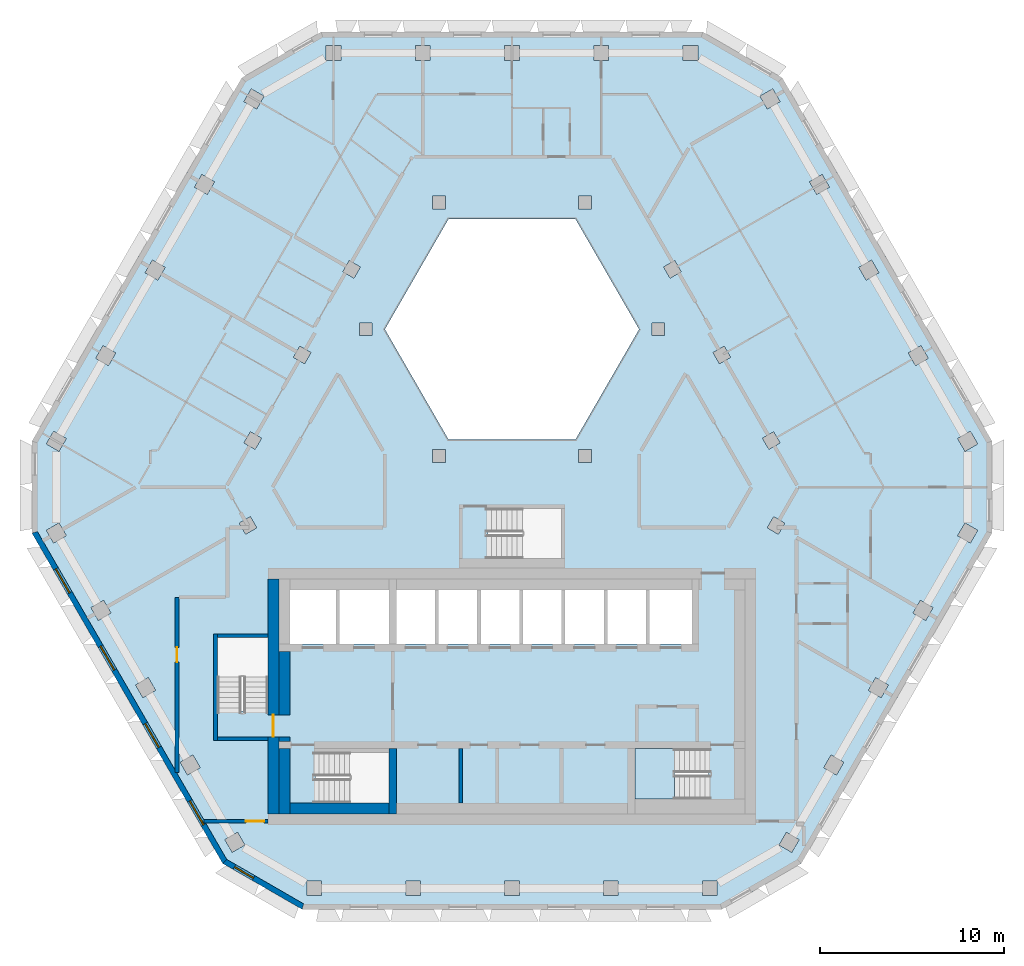
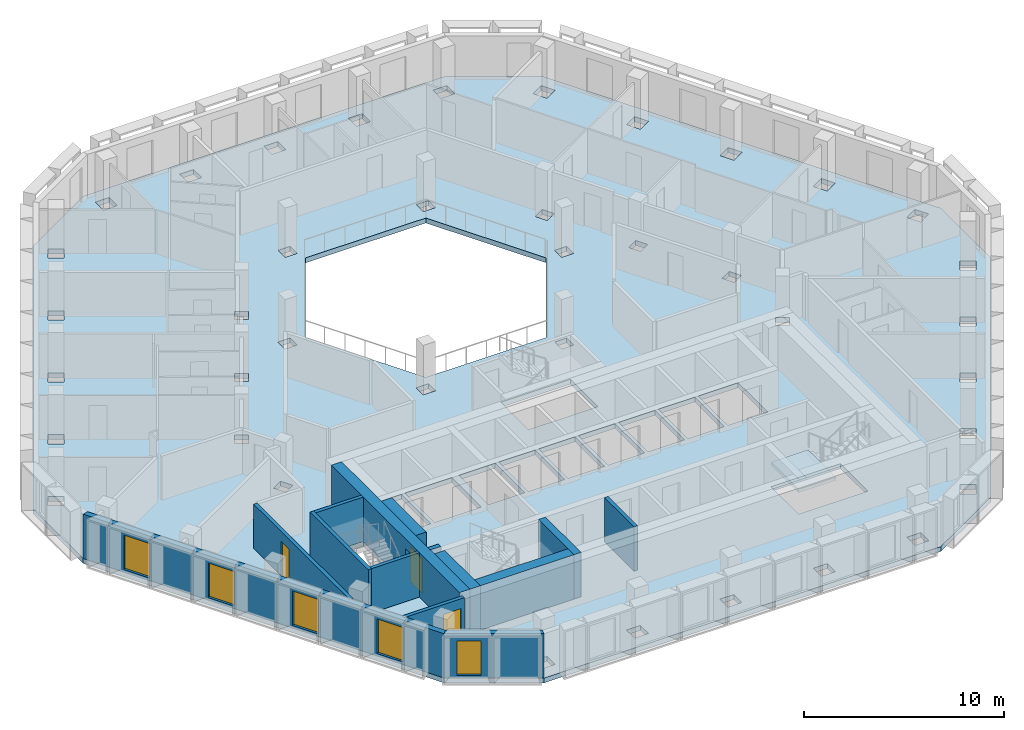
# One storey, part 2 of 15: 14 walls, 5 windows, 3 doors, 2 slabs, 8 openings, 1 element without a shape of its own.
"""IFC4 building model written with IfcOpenShell, lengths in metres."""

from ifc_helpers import new_model, si_unit, direction, frame, frame_2d, origin, place, context, subcontext, project, spatial, polyline, rectangle, outline, extrude, material, layer, layer_set, type_object, element, fill, aggregate, save


model = new_model("IFC4")

# Units and contexts
model_context = context("Model", 3, precision=1e-05, world=origin(), true_north=direction((0.0, 1.0)))
body_context = subcontext(model_context, "Body", "Model", "MODEL_VIEW")
ifc_project = project(units=[si_unit("LENGTHUNIT", "METRE"), si_unit("AREAUNIT", "SQUARE_METRE"), si_unit("VOLUMEUNIT", "CUBIC_METRE"), si_unit("PLANEANGLEUNIT", "RADIAN"), si_unit("MASSUNIT", "GRAM", prefix="KILO")], contexts=[model_context])

# Site, building, storey
site_placement = place(None, origin())
site = spatial("IfcSite", under=ifc_project, at=site_placement, CompositionType="ELEMENT")
building_placement = place(site_placement, origin())
building = spatial("IfcBuilding", under=site, at=building_placement, Name="Beryl Residences", CompositionType="ELEMENT")
storey_placement = place(building_placement, frame((0.0, 0.0, 163.199951171875)))
storey = spatial("IfcBuildingStorey", under=building, at=storey_placement, Name="L49", CompositionType="ELEMENT", Elevation=163.199951171875)

# Slab
ifc_material_1 = material(Name="Concrete C40/50", Category="concrete")
ifc_layer_1 = layer(ifc_material_1, 0.300048828125)
ifc_layer_set_1 = layer_set([ifc_layer_1], Name="SL7 PT floor slab 300 mm C40/50")
slab_type_1 = type_object("IfcSlabType", Name="SL7 PT floor slab 300 mm C40/50", PredefinedType="FLOOR", material=ifc_layer_set_1)
slab_1_placement = place(storey_placement, frame((0.0, 0.0, -0.300048828125)))
element("IfcSlab", 1, at=slab_1_placement, inside=storey, type_object=slab_type_1, Name="L49 slab 1", PredefinedType="FLOOR", context=body_context, shape_type="SweptSolid", body=[
    extrude(outline(polyline([(26.154052734375, -3.10009765625), (15.760986328125, -21.10009765625), (11.430908203125, -23.60009765625), (-11.430908203125, -23.60009765625), (-15.760986328125, -21.10009765625), (-26.154052734375, -3.10009765625), (-26.154052734375, 1.89990234375), (-14.721923828125, 21.699951171875), (-10.39208984375, 24.199951171875), (10.39208984375, 24.199951171875), (14.721923828125, 21.699951171875), (26.154052734375, 1.89990234375), (26.154052734375, -3.10009765625)]), holes=[polyline([(24.971923828125, 2.446044921875), (24.280029296875, 2.0458984375), (24.679931640625, 1.35400390625), (25.3720703125, 1.75390625), (24.971923828125, 2.446044921875)]), polyline([(24.678955078125, -2.554931640625), (24.279052734375, -3.2470703125), (24.970947265625, -3.64697265625), (25.37109375, -2.955078125), (24.678955078125, -2.554931640625)]), polyline([(22.2470703125, -6.76806640625), (21.846923828125, -7.4599609375), (22.5390625, -7.860107421875), (22.93896484375, -7.16796875), (22.2470703125, -6.76806640625)]), polyline([(22.280029296875, 7.10791015625), (21.587890625, 6.7080078125), (21.988037109375, 6.01611328125), (22.679931640625, 6.416015625), (22.280029296875, 7.10791015625)]), polyline([(19.4150390625, -11.672119140625), (20.10693359375, -12.072021484375), (20.507080078125, -11.3798828125), (19.81494140625, -10.97998046875), (19.4150390625, -11.672119140625)]), polyline([(18.89599609375, 11.37109375), (19.2958984375, 10.678955078125), (19.988037109375, 11.0791015625), (19.587890625, 11.77099609375), (18.89599609375, 11.37109375)]), polyline([(18.074951171875, -15.592041015625), (17.383056640625, -15.19189453125), (16.98291015625, -15.884033203125), (17.675048828125, -16.283935546875), (18.074951171875, -15.592041015625)]), polyline([(16.89599609375, 16.43408203125), (16.2041015625, 16.033935546875), (16.60400390625, 15.342041015625), (17.2958984375, 15.741943359375), (16.89599609375, 16.43408203125)]), polyline([(15.64306640625, -19.804931640625), (14.950927734375, -19.405029296875), (14.551025390625, -20.096923828125), (15.242919921875, -20.4970703125), (15.64306640625, -19.804931640625)]), polyline([(14.860107421875, -2.56103515625), (14.25390625, -2.2109375), (13.904052734375, -2.81689453125), (14.510009765625, -3.1669921875), (14.860107421875, -2.56103515625)]), polyline([(14.2041015625, 21.095947265625), (13.511962890625, 20.696044921875), (13.912109375, 20.00390625), (14.60400390625, 20.404052734375), (14.2041015625, 21.095947265625)]), polyline([(13.64501953125, 2.06494140625), (13.9951171875, 1.458984375), (14.60107421875, 1.80908203125), (14.2509765625, 2.4150390625), (13.64501953125, 2.06494140625)]), polyline([(11.55908203125, 7.077880859375), (10.952880859375, 6.72802734375), (11.302978515625, 6.1220703125), (11.908935546875, 6.471923828125), (11.55908203125, 7.077880859375)]), polyline([(11.1689453125, -22.050048828125), (10.368896484375, -22.050048828125), (10.368896484375, -22.85009765625), (11.1689453125, -22.85009765625), (11.1689453125, -22.050048828125)]), polyline([(6.699951171875, -14.85009765625), (6.699951171875, -17.60009765625), (10.699951171875, -17.60009765625), (10.699951171875, -14.85009765625), (6.699951171875, -14.85009765625)]), polyline([(9.327880859375, 23.449951171875), (9.327880859375, 22.64990234375), (10.1279296875, 22.64990234375), (10.1279296875, 23.449951171875), (9.327880859375, 23.449951171875)]), polyline([(7.5, -9.14990234375), (9.800048828125, -9.14990234375), (9.800048828125, -6.199951171875), (7.5, -6.199951171875), (7.5, -9.14990234375)]), polyline([(8.260986328125, 11.39111328125), (8.611083984375, 10.784912109375), (9.217041015625, 11.135009765625), (8.866943359375, 11.740966796875), (8.260986328125, 11.39111328125)]), polyline([(8.31689453125, 7.64990234375), (8.31689453125, 8.35009765625), (7.616943359375, 8.35009765625), (7.616943359375, 7.64990234375), (8.31689453125, 7.64990234375)]), polyline([(5.199951171875, -9.14990234375), (7.300048828125, -9.14990234375), (7.300048828125, -6.199951171875), (5.199951171875, -6.199951171875), (5.199951171875, -9.14990234375)]), polyline([(3.464111328125, 14.0), (-3.464111328125, 14.0), (-6.92822265625, 8.0), (-3.464111328125, 2.0), (3.464111328125, 2.0), (6.92822265625, 8.0), (3.464111328125, 14.0)]), polyline([(5.784912109375, -22.85009765625), (5.784912109375, -22.050048828125), (4.985107421875, -22.050048828125), (4.985107421875, -22.85009765625), (5.784912109375, -22.85009765625)]), polyline([(4.464111328125, 23.449951171875), (4.464111328125, 22.64990234375), (5.263916015625, 22.64990234375), (5.263916015625, 23.449951171875), (4.464111328125, 23.449951171875)]), polyline([(5.0, -9.14990234375), (5.0, -6.199951171875), (2.89990234375, -6.199951171875), (2.89990234375, -9.14990234375), (5.0, -9.14990234375)]), polyline([(4.333984375, 14.550048828125), (4.333984375, 15.25), (3.634033203125, 15.25), (3.634033203125, 14.550048828125), (4.333984375, 14.550048828125)]), polyline([(4.333984375, 1.449951171875), (3.634033203125, 1.449951171875), (3.634033203125, 0.75), (4.333984375, 0.75), (4.333984375, 1.449951171875)]), polyline([(2.699951171875, -4.5), (2.699951171875, -1.75), (-1.300048828125, -1.75), (-1.300048828125, -4.5), (2.699951171875, -4.5)]), polyline([(0.60009765625, -9.14990234375), (2.699951171875, -9.14990234375), (2.699951171875, -6.199951171875), (0.60009765625, -6.199951171875), (0.60009765625, -9.14990234375)]), polyline([(-0.39892578125, -22.050048828125), (-0.39892578125, -22.85009765625), (0.40087890625, -22.85009765625), (0.40087890625, -22.050048828125), (-0.39892578125, -22.050048828125)]), polyline([(0.39990234375, 22.64990234375), (0.39990234375, 23.449951171875), (-0.39990234375, 23.449951171875), (-0.39990234375, 22.64990234375), (0.39990234375, 22.64990234375)]), polyline([(0.39990234375, -6.199951171875), (-1.699951171875, -6.199951171875), (-1.699951171875, -9.14990234375), (0.39990234375, -9.14990234375), (0.39990234375, -6.199951171875)]), polyline([(-4.0, -9.14990234375), (-1.89990234375, -9.14990234375), (-1.89990234375, -6.199951171875), (-4.0, -6.199951171875), (-4.0, -9.14990234375)]), polyline([(-3.634033203125, 15.25), (-4.333984375, 15.25), (-4.333984375, 14.550048828125), (-3.634033203125, 14.550048828125), (-3.634033203125, 15.25)]), polyline([(-3.634033203125, 0.75), (-3.634033203125, 1.449951171875), (-4.333984375, 1.449951171875), (-4.333984375, 0.75), (-3.634033203125, 0.75)]), polyline([(-6.300048828125, -9.14990234375), (-4.199951171875, -9.14990234375), (-4.199951171875, -6.199951171875), (-6.300048828125, -6.199951171875), (-6.300048828125, -9.14990234375)]), polyline([(-5.263916015625, 23.449951171875), (-5.263916015625, 22.64990234375), (-4.464111328125, 22.64990234375), (-4.464111328125, 23.449951171875), (-5.263916015625, 23.449951171875)]), polyline([(-4.98291015625, -22.85009765625), (-4.98291015625, -22.050048828125), (-5.782958984375, -22.050048828125), (-5.782958984375, -22.85009765625), (-4.98291015625, -22.85009765625)]), polyline([(-6.699951171875, -6.199951171875), (-9.39990234375, -6.199951171875), (-9.39990234375, -9.14990234375), (-6.699951171875, -9.14990234375), (-6.699951171875, -6.199951171875)]), polyline([(-10.699951171875, -15.050048828125), (-10.699951171875, -17.800048828125), (-6.699951171875, -17.800048828125), (-6.699951171875, -15.050048828125), (-10.699951171875, -15.050048828125)]), polyline([(-7.616943359375, 7.64990234375), (-7.616943359375, 8.35009765625), (-8.31689453125, 8.35009765625), (-8.31689453125, 7.64990234375), (-7.616943359375, 7.64990234375)]), polyline([(-8.611083984375, 10.784912109375), (-8.260986328125, 11.39111328125), (-8.866943359375, 11.740966796875), (-9.217041015625, 11.135009765625), (-8.611083984375, 10.784912109375)]), polyline([(-10.1279296875, 23.449951171875), (-10.1279296875, 22.64990234375), (-9.327880859375, 22.64990234375), (-9.327880859375, 23.449951171875), (-10.1279296875, 23.449951171875)]), polyline([(-12.10009765625, -9.14990234375), (-9.60009765625, -9.14990234375), (-9.60009765625, -6.199951171875), (-12.10009765625, -6.199951171875), (-12.10009765625, -9.14990234375)]), polyline([(-11.1669921875, -22.050048828125), (-11.1669921875, -22.85009765625), (-10.366943359375, -22.85009765625), (-10.366943359375, -22.050048828125), (-11.1669921875, -22.050048828125)]), polyline([(-11.908935546875, 6.471923828125), (-11.302978515625, 6.1220703125), (-10.952880859375, 6.72802734375), (-11.55908203125, 7.077880859375), (-11.908935546875, 6.471923828125)]), polyline([(-13.300048828125, -8.800048828125), (-16.050048828125, -8.800048828125), (-16.050048828125, -12.800048828125), (-13.300048828125, -12.800048828125), (-13.300048828125, -8.800048828125)]), polyline([(-13.912109375, 20.00390625), (-13.511962890625, 20.696044921875), (-14.2041015625, 21.095947265625), (-14.60400390625, 20.404052734375), (-13.912109375, 20.00390625)]), polyline([(-13.9951171875, 1.458984375), (-13.64501953125, 2.06494140625), (-14.2509765625, 2.4150390625), (-14.60107421875, 1.80908203125), (-13.9951171875, 1.458984375)]), polyline([(-14.510986328125, -3.1650390625), (-13.905029296875, -2.81494140625), (-14.2548828125, -2.208984375), (-14.861083984375, -2.55908203125), (-14.510986328125, -3.1650390625)]), polyline([(-14.552001953125, -20.094970703125), (-14.951904296875, -19.403076171875), (-15.64404296875, -19.802978515625), (-15.243896484375, -20.4951171875), (-14.552001953125, -20.094970703125)]), polyline([(-16.60400390625, 15.342041015625), (-16.2041015625, 16.033935546875), (-16.89599609375, 16.43408203125), (-17.2958984375, 15.741943359375), (-16.60400390625, 15.342041015625)]), polyline([(-16.98388671875, -15.882080078125), (-17.384033203125, -15.18994140625), (-18.075927734375, -15.590087890625), (-17.676025390625, -16.281982421875), (-16.98388671875, -15.882080078125)]), polyline([(-18.89599609375, 11.37109375), (-19.587890625, 11.77099609375), (-19.988037109375, 11.0791015625), (-19.2958984375, 10.678955078125), (-18.89599609375, 11.37109375)]), polyline([(-20.10791015625, -12.070068359375), (-19.416015625, -11.669921875), (-19.81591796875, -10.97802734375), (-20.508056640625, -11.3779296875), (-20.10791015625, -12.070068359375)]), polyline([(-22.679931640625, 6.416015625), (-21.988037109375, 6.01611328125), (-21.587890625, 6.7080078125), (-22.280029296875, 7.10791015625), (-22.679931640625, 6.416015625)]), polyline([(-21.847900390625, -7.4580078125), (-22.248046875, -6.76611328125), (-22.93994140625, -7.166015625), (-22.5400390625, -7.85791015625), (-21.847900390625, -7.4580078125)]), polyline([(-25.3720703125, 1.75390625), (-24.679931640625, 1.35400390625), (-24.280029296875, 2.0458984375), (-24.971923828125, 2.446044921875), (-25.3720703125, 1.75390625)]), polyline([(-24.280029296875, -3.2451171875), (-24.679931640625, -2.552978515625), (-25.3720703125, -2.952880859375), (-24.971923828125, -3.64501953125), (-24.280029296875, -3.2451171875)])]), origin(), (0.0, 0.0, 1.0), 0.300048828125),
])

# Stair, slab
ifc_material_2 = material(Name="Concrete C40/50", Category="concrete")
stair_type = type_object("IfcStairType", Name="ST1 protected exit stair, half-turn, 1300 mm flights", PredefinedType="HALF_TURN_STAIR", material=ifc_material_2)
stair_placement = place(storey_placement, origin())
stair = element("IfcStair", 2, at=stair_placement, inside=storey, type_object=stair_type, Name="L49 PROTECTED EXIT STAIR ST-3", PredefinedType="HALF_TURN_STAIR")
ifc_material_3 = material(Name="Concrete C40/50", Category="concrete")
ifc_layer_2 = layer(ifc_material_3, 0.199951171875)
ifc_layer_set_2 = layer_set([ifc_layer_2], Name="SLD1 stair landing 200 mm")
slab_type_2 = type_object("IfcSlabType", Name="SLD1 stair landing 200 mm", PredefinedType="LANDING", material=ifc_layer_set_2)
slab_2_placement = place(storey_placement, frame((0.0, 0.0, 1.300048828125)))
slab_2 = element("IfcSlab", 3, at=slab_2_placement, type_object=slab_type_2, Name="ST-3 landing 1", PredefinedType="LANDING", context=body_context, shape_type="SweptSolid", body=[
    extrude(outline(polyline([(8.840087890625, -14.85009765625), (6.699951171875, -14.85009765625), (6.699951171875, -17.60009765625), (8.840087890625, -17.60009765625), (8.840087890625, -14.85009765625)])), origin(), (0.0, 0.0, 1.0), 0.199951171875),
])
aggregate(stair, [slab_2])

# Wall, openings, windows
ifc_material_4 = material(Name="Composite metal panel with mineral wool insulation")
ifc_layer_3 = layer(ifc_material_4, 0.300048828125)
ifc_layer_set_3 = layer_set([ifc_layer_3], Name="ES1 pale metal composite panel wall 300 mm")
wall_type_1 = type_object("IfcWallType", Name="ES1 pale metal composite panel wall 300 mm", PredefinedType="SOLIDWALL", material=ifc_layer_set_3)
wall_1_placement = place(storey_placement, frame((-26.02392578125, -3.02490234375, 0.0), z_axis=(0.0, 0.0, 1.0), x_axis=(0.500018670445, -0.86601462413, 0.0)))
wall_1 = element("IfcWall", 4, at=wall_1_placement, inside=storey, type_object=wall_type_1, Name="ES1 external wall L49 SW", PredefinedType="SOLIDWALL", context=body_context, shape_type="SweptSolid", body=[
    extrude(outline(polyline([(0.0, -0.14990234375), (20.784912109375, -0.14990234375), (20.70458984375, 0.14990234375), (0.080322265625, 0.14990234375), (0.0, -0.14990234375)])), origin(), (0.0, 0.0, 1.0), 2.699951171875),
])
opening_1_placement = place(wall_1_placement, frame((2.345947265625, 0.0, 0.14990234375)))
opening_1 = element("IfcOpeningElement", 5, at=opening_1_placement, cuts=wall_1, Name="Opening W1", PredefinedType="OPENING", context=body_context, shape_type="SweptSolid", body=[
    extrude(rectangle(XDim=1.5, YDim=2.10009765625, at=frame_2d((0.75, 1.050048828125))), frame((0.0, 0.159912109375, 0.0), z_axis=(0.0, -1.0, 0.0), x_axis=(1.0, 0.0, 0.0)), (0.0, 0.0, 1.0), 0.320068359375),
])
opening_2_placement = place(wall_1_placement, frame((7.2099609375, 0.0, 0.14990234375)))
opening_2 = element("IfcOpeningElement", 6, at=opening_2_placement, cuts=wall_1, Name="Opening W1", PredefinedType="OPENING", context=body_context, shape_type="SweptSolid", body=[
    extrude(rectangle(XDim=1.5, YDim=2.10009765625, at=frame_2d((0.75, 1.050048828125))), frame((0.0, 0.159912109375, 0.0), z_axis=(0.0, -1.0, 0.0), x_axis=(1.0, 0.0, 0.0)), (0.0, 0.0, 1.0), 0.320068359375),
])
opening_3_placement = place(wall_1_placement, frame((12.072998046875, 0.0, 0.14990234375)))
opening_3 = element("IfcOpeningElement", 7, at=opening_3_placement, cuts=wall_1, Name="Opening W1", PredefinedType="OPENING", context=body_context, shape_type="SweptSolid", body=[
    extrude(rectangle(XDim=1.5, YDim=2.10009765625, at=frame_2d((0.75, 1.050048828125))), frame((0.0, 0.159912109375, 0.0), z_axis=(0.0, -1.0, 0.0), x_axis=(1.0, 0.0, 0.0)), (0.0, 0.0, 1.0), 0.320068359375),
])
opening_4_placement = place(wall_1_placement, frame((16.93798828125, 0.0, 0.14990234375)))
opening_4 = element("IfcOpeningElement", 8, at=opening_4_placement, cuts=wall_1, Name="Opening W1", PredefinedType="OPENING", context=body_context, shape_type="SweptSolid", body=[
    extrude(rectangle(XDim=1.5, YDim=2.10009765625, at=frame_2d((0.75, 1.050048828125))), frame((0.0, 0.159912109375, 0.0), z_axis=(0.0, -1.0, 0.0), x_axis=(1.0, 0.0, 0.0)), (0.0, 0.0, 1.0), 0.320068359375),
])
ifc_material_5 = material(Name="Aluminium and clear glass", Category="aluminium")
window_type_1 = type_object("IfcWindowType", Name="W1 cell window 1500 x 2100 mm", PartitioningType="SINGLE_PANEL", PredefinedType="WINDOW", material=ifc_material_5)
window_1_placement = place(opening_1_placement, origin())
window_1 = element("IfcWindow", 9, at=window_1_placement, inside=storey, type_object=window_type_1, Name="W1 window L49 SW 2", OverallHeight=2.10009765625, OverallWidth=1.5, PartitioningType="SINGLE_PANEL", PredefinedType="WINDOW", context=body_context, shape_type="SweptSolid", body=[
    extrude(rectangle(XDim=1.5, YDim=2.10009765625, at=frame_2d((0.75, 1.050048828125))), frame((0.0, 0.030029296875, 0.0), z_axis=(0.0, -1.0, 0.0), x_axis=(1.0, 0.0, 0.0)), (0.0, 0.0, 1.0), 0.06005859375),
])
fill(opening_1, window_1)
window_2_placement = place(opening_2_placement, origin())
window_2 = element("IfcWindow", 10, at=window_2_placement, inside=storey, type_object=window_type_1, Name="W1 window L49 SW 4", OverallHeight=2.10009765625, OverallWidth=1.5, PartitioningType="SINGLE_PANEL", PredefinedType="WINDOW", context=body_context, shape_type="SweptSolid", body=[
    extrude(rectangle(XDim=1.5, YDim=2.10009765625, at=frame_2d((0.75, 1.050048828125))), frame((0.0, 0.030029296875, 0.0), z_axis=(0.0, -1.0, 0.0), x_axis=(1.0, 0.0, 0.0)), (0.0, 0.0, 1.0), 0.06005859375),
])
fill(opening_2, window_2)
window_3_placement = place(opening_3_placement, origin())
window_3 = element("IfcWindow", 11, at=window_3_placement, inside=storey, type_object=window_type_1, Name="W1 window L49 SW 6", OverallHeight=2.10009765625, OverallWidth=1.5, PartitioningType="SINGLE_PANEL", PredefinedType="WINDOW", context=body_context, shape_type="SweptSolid", body=[
    extrude(rectangle(XDim=1.5, YDim=2.10009765625, at=frame_2d((0.75, 1.050048828125))), frame((0.0, 0.030029296875, 0.0), z_axis=(0.0, -1.0, 0.0), x_axis=(1.0, 0.0, 0.0)), (0.0, 0.0, 1.0), 0.06005859375),
])
fill(opening_3, window_3)
window_4_placement = place(opening_4_placement, origin())
window_4 = element("IfcWindow", 12, at=window_4_placement, inside=storey, type_object=window_type_1, Name="W1 window L49 SW 8", OverallHeight=2.10009765625, OverallWidth=1.5, PartitioningType="SINGLE_PANEL", PredefinedType="WINDOW", context=body_context, shape_type="SweptSolid", body=[
    extrude(rectangle(XDim=1.5, YDim=2.10009765625, at=frame_2d((0.75, 1.050048828125))), frame((0.0, 0.030029296875, 0.0), z_axis=(0.0, -1.0, 0.0), x_axis=(1.0, 0.0, 0.0)), (0.0, 0.0, 1.0), 0.06005859375),
])
fill(opening_4, window_4)

# Wall, opening, window
wall_2_placement = place(storey_placement, frame((-15.68603515625, -20.969970703125, 0.0), z_axis=(0.0, 0.0, 1.0), x_axis=(0.866022959057, -0.500004234368, 0.0)))
wall_2 = element("IfcWall", 13, at=wall_2_placement, inside=storey, type_object=wall_type_1, Name="ES1 external wall L49 SW-S", PredefinedType="SOLIDWALL", context=body_context, shape_type="SweptSolid", body=[
    extrude(outline(polyline([(0.0, -0.14990234375), (5.0, -0.14990234375), (4.919677734375, 0.14990234375), (0.080322265625, 0.14990234375), (0.0, -0.14990234375)])), origin(), (0.0, 0.0, 1.0), 2.699951171875),
])
opening_5_placement = place(wall_2_placement, frame((0.64990234375, 0.0, 0.14990234375)))
opening_5 = element("IfcOpeningElement", 14, at=opening_5_placement, cuts=wall_2, Name="Opening W2", PredefinedType="OPENING", context=body_context, shape_type="SweptSolid", body=[
    extrude(rectangle(XDim=1.199951171875, YDim=2.10009765625, at=frame_2d((0.60009765625, 1.050048828125))), frame((0.0, 0.159912109375, 0.0), z_axis=(0.0, -1.0, 0.0), x_axis=(1.0, 0.0, 0.0)), (0.0, 0.0, 1.0), 0.320068359375),
])
ifc_material_6 = material(Name="Aluminium and clear glass", Category="aluminium")
window_type_2 = type_object("IfcWindowType", Name="W2 chamfer window 1200 x 2100 mm", PartitioningType="SINGLE_PANEL", PredefinedType="WINDOW", material=ifc_material_6)
window_5_placement = place(opening_5_placement, origin())
window_5 = element("IfcWindow", 15, at=window_5_placement, inside=storey, type_object=window_type_2, Name="W2 window L49 SW-S 1", OverallHeight=2.10009765625, OverallWidth=1.199951171875, PartitioningType="SINGLE_PANEL", PredefinedType="WINDOW", context=body_context, shape_type="SweptSolid", body=[
    extrude(rectangle(XDim=1.199951171875, YDim=2.10009765625, at=frame_2d((0.60009765625, 1.050048828125))), frame((0.0, 0.030029296875, 0.0), z_axis=(0.0, -1.0, 0.0), x_axis=(1.0, 0.0, 0.0)), (0.0, 0.0, 1.0), 0.06005859375),
])
fill(opening_5, window_5)

# Walls
ifc_material_7 = material(Name="Concrete masonry", Category="masonry")
ifc_layer_4 = layer(ifc_material_7, 0.25)
ifc_layer_set_4 = layer_set([ifc_layer_4], Name="PT13-250 lobby wall 250 mm")
wall_type_2 = type_object("IfcWallType", Name="PT13-250 lobby wall 250 mm", PredefinedType="PARTITIONING", material=ifc_layer_set_4)
wall_3_placement = place(storey_placement, frame((-12.699951171875, -14.324951171875, 0.0), z_axis=(0.0, 0.0, 1.0), x_axis=(1.0, 0.0, 0.0)))
element("IfcWall", 16, at=wall_3_placement, inside=storey, type_object=wall_type_2, Name="Lobby wall 05", PredefinedType="PARTITIONING", context=body_context, shape_type="SweptSolid", body=[
    extrude(rectangle(XDim=0.599853515625, YDim=0.25, at=frame_2d((0.2998046875, 0.0))), origin(), (0.0, 0.0, 1.0), 2.699951171875),
])
ifc_material_8 = material(Name="Concrete masonry", Category="masonry")
ifc_layer_5 = layer(ifc_material_8, 0.60009765625)
ifc_layer_set_5 = layer_set([ifc_layer_5], Name="PT13-600 lobby wall 600 mm")
wall_type_3 = type_object("IfcWallType", Name="PT13-600 lobby wall 600 mm", PredefinedType="PARTITIONING", material=ifc_layer_set_5)
wall_4_placement = place(storey_placement, frame((-12.39990234375, -13.0, 0.0), z_axis=(0.0, 0.0, 1.0), x_axis=(0.0, 1.0, 0.0)))
element("IfcWall", 17, at=wall_4_placement, inside=storey, type_object=wall_type_3, Name="Lobby wall 06", PredefinedType="PARTITIONING", context=body_context, shape_type="SweptSolid", body=[
    extrude(rectangle(XDim=3.449951171875, YDim=0.60009765625, at=frame_2d((1.72509765625, 0.0))), origin(), (0.0, 0.0, 1.0), 2.699951171875),
])

# Wall, opening, door
ifc_material_9 = material(Name="Double stud gypsum board wall")
ifc_layer_6 = layer(ifc_material_9, 0.199951171875)
ifc_layer_set_6 = layer_set([ifc_layer_6], Name="PT4 corridor wall 200 mm double stud")
wall_type_4 = type_object("IfcWallType", Name="PT4 corridor wall 200 mm double stud", PredefinedType="PARTITIONING", material=ifc_layer_set_6)
wall_5_placement = place(storey_placement, frame((-18.25, -16.152099609375, 0.0), z_axis=(0.0, 0.0, 1.0), x_axis=(0.0, 1.0, 0.0)))
wall_5 = element("IfcWall", 18, at=wall_5_placement, inside=storey, type_object=wall_type_4, Name="Wall PT4 L49 025", PredefinedType="PARTITIONING", context=body_context, shape_type="SweptSolid", body=[
    extrude(rectangle(XDim=9.551025390625, YDim=0.199951171875, at=frame_2d((4.775390625, 0.0))), origin(), (0.0, 0.0, 1.0), 2.699951171875),
])
opening_6_placement = place(wall_5_placement, frame((6.02587890625, 0.0, 0.0)))
opening_6 = element("IfcOpeningElement", 19, at=opening_6_placement, cuts=wall_5, Name="Opening D1609", PredefinedType="OPENING", context=body_context, shape_type="SweptSolid", body=[
    extrude(rectangle(XDim=0.800048828125, YDim=2.10009765625, at=frame_2d((0.39990234375, 1.050048828125))), frame((0.0, 0.10986328125, 0.0), z_axis=(0.0, -1.0, 0.0), x_axis=(1.0, 0.0, 0.0)), (0.0, 0.0, 1.0), 0.219970703125),
])
ifc_material_10 = material(Name="Timber door leaf", Category="wood")
door_type_1 = type_object("IfcDoorType", Name="D3 bathroom door 800 x 2100 mm", OperationType="SINGLE_SWING_LEFT", PredefinedType="DOOR", material=ifc_material_10)
door_1_placement = place(opening_6_placement, origin())
door_1 = element("IfcDoor", 20, at=door_1_placement, inside=storey, type_object=door_type_1, Name="Door D1609 L49 001", OperationType="SINGLE_SWING_LEFT", OverallHeight=2.10009765625, OverallWidth=0.800048828125, PredefinedType="DOOR", context=body_context, shape_type="SweptSolid", body=[
    extrude(rectangle(XDim=0.800048828125, YDim=2.10009765625, at=frame_2d((0.39990234375, 1.050048828125))), frame((0.0, 0.02490234375, 0.0), z_axis=(0.0, -1.0, 0.0), x_axis=(1.0, 0.0, 0.0)), (0.0, 0.0, 1.0), 0.050048828125),
])
fill(opening_6, door_1)

wall_6_placement = place(storey_placement, frame((-16.7919921875, -18.800048828125, 0.0), z_axis=(0.0, 0.0, 1.0), x_axis=(1.0, 0.0, 0.0)))
wall_6 = element("IfcWall", 21, at=wall_6_placement, inside=storey, type_object=wall_type_4, Name="Wall PT4 L49 026", PredefinedType="PARTITIONING", context=body_context, shape_type="SweptSolid", body=[
    extrude(rectangle(XDim=3.491943359375, YDim=0.199951171875, at=frame_2d((1.74609375, 0.0))), origin(), (0.0, 0.0, 1.0), 2.699951171875),
])
opening_7_placement = place(wall_6_placement, frame((2.2919921875, 0.0, 0.0)))
opening_7 = element("IfcOpeningElement", 22, at=opening_7_placement, cuts=wall_6, Name="Opening D1645", PredefinedType="OPENING", context=body_context, shape_type="SweptSolid", body=[
    extrude(rectangle(XDim=1.0, YDim=2.10009765625, at=frame_2d((0.5, 1.050048828125))), frame((0.0, 0.10986328125, 0.0), z_axis=(0.0, -1.0, 0.0), x_axis=(1.0, 0.0, 0.0)), (0.0, 0.0, 1.0), 0.219970703125),
])
ifc_material_11 = material(Name="Timber door leaf", Category="wood")
door_type_2 = type_object("IfcDoorType", Name="D1 flat entrance door 1000 x 2100 mm", OperationType="SINGLE_SWING_LEFT", PredefinedType="DOOR", material=ifc_material_11)
door_2_placement = place(opening_7_placement, origin())
door_2 = element("IfcDoor", 23, at=door_2_placement, inside=storey, type_object=door_type_2, Name="Door D1645 L49 001", OperationType="SINGLE_SWING_RIGHT", OverallHeight=2.10009765625, OverallWidth=1.0, PredefinedType="DOOR", context=body_context, shape_type="SweptSolid", body=[
    extrude(rectangle(XDim=1.0, YDim=2.10009765625, at=frame_2d((0.5, 1.050048828125))), frame((0.0, 0.02490234375, 0.0), z_axis=(0.0, -1.0, 0.0), x_axis=(1.0, 0.0, 0.0)), (0.0, 0.0, 1.0), 0.050048828125),
])
fill(opening_7, door_2)

# Walls
ifc_material_12 = material(Name="Concrete C40/50", Category="concrete")
ifc_layer_7 = layer(ifc_material_12, 0.199951171875)
ifc_layer_set_7 = layer_set([ifc_layer_7], Name="PT5 stair enclosure wall 200 mm reinforced concrete C40/50")
wall_type_5 = type_object("IfcWallType", Name="PT5 stair enclosure wall 200 mm reinforced concrete C40/50", PredefinedType="SOLIDWALL", material=ifc_layer_set_7)
wall_7_placement = place(storey_placement, frame((-16.14990234375, -14.39990234375, 0.0), z_axis=(0.0, 0.0, 1.0), x_axis=(0.0, 1.0, 0.0)))
element("IfcWall", 24, at=wall_7_placement, inside=storey, type_object=wall_type_5, Name="Stair wall 01", PredefinedType="SOLIDWALL", context=body_context, shape_type="SweptSolid", body=[
    extrude(rectangle(XDim=5.7998046875, YDim=0.199951171875, at=frame_2d((2.89990234375, 0.0))), origin(), (0.0, 0.0, 1.0), 2.699951171875),
])
for number, where, z_axis, x_axis, name in (
    (25, (-16.050048828125, -14.300048828125, 0.0), (0.0, 0.0, 1.0), (1.0, 0.0, 0.0), "Stair wall 02"),
    (26, (-16.050048828125, -8.699951171875, 0.0), (0.0, 0.0, 1.0), (1.0, 0.0, 0.0), "Stair wall 03"),
):
    element("IfcWall", number, at=place(storey_placement, frame(where, z_axis=z_axis, x_axis=x_axis)), inside=storey, type_object=wall_type_5, Name=name, PredefinedType="SOLIDWALL", context=body_context, shape_type="SweptSolid", body=[
        extrude(rectangle(XDim=2.75, YDim=0.199951171875, at=frame_2d((1.375, 0.0))), origin(), (0.0, 0.0, 1.0), 2.699951171875),
    ])
ifc_material_13 = material(Name="Concrete C40/50", Category="concrete")
ifc_layer_8 = layer(ifc_material_13, 0.60009765625)
ifc_layer_set_8 = layer_set([ifc_layer_8], Name="PT5-600 stair enclosure wall 600 mm")
wall_type_6 = type_object("IfcWallType", Name="PT5-600 stair enclosure wall 600 mm", PredefinedType="SOLIDWALL", material=ifc_layer_set_8)
wall_8_placement = place(storey_placement, frame((-12.39990234375, -18.39990234375, 0.0), z_axis=(0.0, 0.0, 1.0), x_axis=(0.0, 1.0, 0.0)))
element("IfcWall", 27, at=wall_8_placement, inside=storey, type_object=wall_type_6, Name="Stair wall 04", PredefinedType="SOLIDWALL", context=body_context, shape_type="SweptSolid", body=[
    extrude(rectangle(XDim=3.5498046875, YDim=0.60009765625, at=frame_2d((1.77490234375, 0.0))), origin(), (0.0, 0.0, 1.0), 2.699951171875),
])
wall_9_placement = place(storey_placement, frame((-12.10009765625, -18.10009765625, 0.0), z_axis=(0.0, 0.0, 1.0), x_axis=(1.0, 0.0, 0.0)))
element("IfcWall", 28, at=wall_9_placement, inside=storey, type_object=wall_type_6, Name="Stair wall 08", PredefinedType="SOLIDWALL", context=body_context, shape_type="SweptSolid", body=[
    extrude(rectangle(XDim=5.400146484375, YDim=0.60009765625, at=frame_2d((2.7001953125, 0.0))), origin(), (0.0, 0.0, 1.0), 2.699951171875),
])
ifc_material_14 = material(Name="Concrete masonry", Category="masonry")
ifc_layer_9 = layer(ifc_material_14, 0.199951171875)
ifc_layer_set_9 = layer_set([ifc_layer_9], Name="PT8-200 service room wall 200 mm")
wall_type_7 = type_object("IfcWallType", Name="PT8-200 service room wall 200 mm", PredefinedType="PARTITIONING", material=ifc_layer_set_9)
wall_10_placement = place(storey_placement, frame((-2.800048828125, -17.800048828125, 0.0), z_axis=(0.0, 0.0, 1.0), x_axis=(0.0, 1.0, 0.0)))
element("IfcWall", 29, at=wall_10_placement, inside=storey, type_object=wall_type_7, Name="Core room wall 16", PredefinedType="PARTITIONING", context=body_context, shape_type="SweptSolid", body=[
    extrude(rectangle(XDim=2.949951171875, YDim=0.199951171875, at=frame_2d((1.47509765625, 0.0))), origin(), (0.0, 0.0, 1.0), 2.699951171875),
])

# Wall, opening, door
ifc_material_15 = material(Name="Concrete C50/60", Category="concrete")
ifc_layer_10 = layer(ifc_material_15, 0.60009765625)
ifc_layer_set_10 = layer_set([ifc_layer_10], Name="SW4 core outer wall 600 mm C50/60")
wall_type_8 = type_object("IfcWallType", Name="SW4 core outer wall 600 mm C50/60", PredefinedType="SHEAR", material=ifc_layer_set_10)
wall_11_placement = place(storey_placement, frame((-13.0, -18.39990234375, 0.0), z_axis=(0.0, 0.0, 1.0), x_axis=(0.0, 1.0, 0.0)))
wall_11 = element("IfcWall", 30, at=wall_11_placement, inside=storey, type_object=wall_type_8, Name="Core wall W L49", PredefinedType="SHEAR", context=body_context, shape_type="SweptSolid", body=[
    extrude(rectangle(XDim=12.7998046875, YDim=0.60009765625, at=frame_2d((6.39990234375, 0.0))), origin(), (0.0, 0.0, 1.0), 2.699951171875),
])
opening_8_placement = place(wall_11_placement, frame((4.199951171875, 0.0, 0.0)))
opening_8 = element("IfcOpeningElement", 31, at=opening_8_placement, cuts=wall_11, Name="Opening SD-2", PredefinedType="OPENING", context=body_context, shape_type="SweptSolid", body=[
    extrude(rectangle(XDim=1.199951171875, YDim=2.10009765625, at=frame_2d((0.60009765625, 1.050048828125))), frame((0.0, 0.31005859375, 0.0), z_axis=(0.0, -1.0, 0.0), x_axis=(1.0, 0.0, 0.0)), (0.0, 0.0, 1.0), 0.6201171875),
])
ifc_material_16 = material(Name="Steel door leaf in steel frame", Category="steel")
door_type_3 = type_object("IfcDoorType", Name="D4 stair door 1200 x 2100 mm", OperationType="SINGLE_SWING_LEFT", PredefinedType="DOOR", material=ifc_material_16)
door_3_placement = place(opening_8_placement, origin())
door_3 = element("IfcDoor", 32, at=door_3_placement, inside=storey, type_object=door_type_3, Name="Door SD-2 L49 001", OperationType="SINGLE_SWING_RIGHT", OverallHeight=2.10009765625, OverallWidth=1.199951171875, PredefinedType="DOOR", context=body_context, shape_type="SweptSolid", body=[
    extrude(rectangle(XDim=1.199951171875, YDim=2.10009765625, at=frame_2d((0.60009765625, 1.050048828125))), frame((0.0, 0.02490234375, 0.0), z_axis=(0.0, -1.0, 0.0), x_axis=(1.0, 0.0, 0.0)), (0.0, 0.0, 1.0), 0.050048828125),
])
fill(opening_8, door_3)

# Wall
ifc_material_17 = material(Name="Concrete C50/60", Category="concrete")
ifc_layer_11 = layer(ifc_material_17, 0.39990234375)
ifc_layer_set_11 = layer_set([ifc_layer_11], Name="SW9 core internal wall 400 mm C50/60")
wall_type_9 = type_object("IfcWallType", Name="SW9 core internal wall 400 mm C50/60", PredefinedType="SHEAR", material=ifc_layer_set_11)
wall_12_placement = place(storey_placement, frame((-6.5, -18.39990234375, 0.0), z_axis=(0.0, 0.0, 1.0), x_axis=(0.0, 1.0, 0.0)))
element("IfcWall", 33, at=wall_12_placement, inside=storey, type_object=wall_type_9, Name="Core wall XS1 L49", PredefinedType="SHEAR", context=body_context, shape_type="SweptSolid", body=[
    extrude(rectangle(XDim=3.5498046875, YDim=0.39990234375, at=frame_2d((1.77490234375, 0.0))), origin(), (0.0, 0.0, 1.0), 2.699951171875),
])

save(model, "model.ifc")
